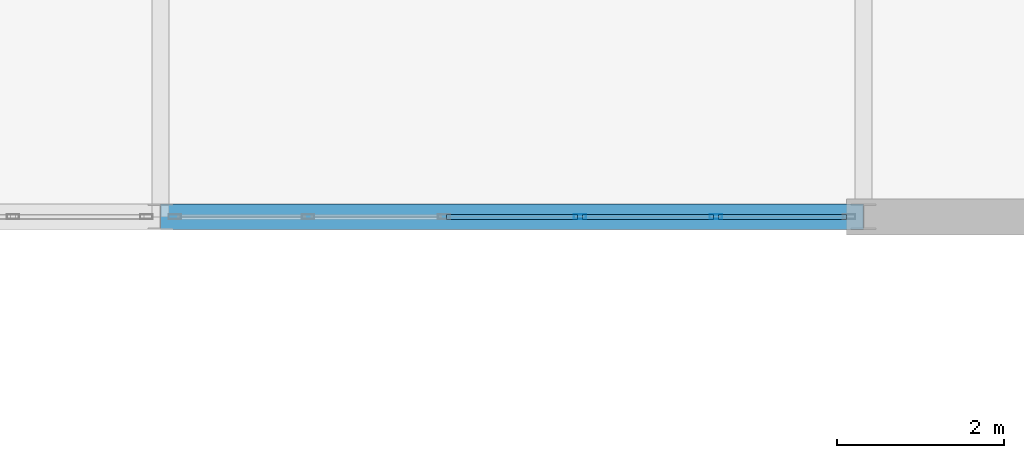
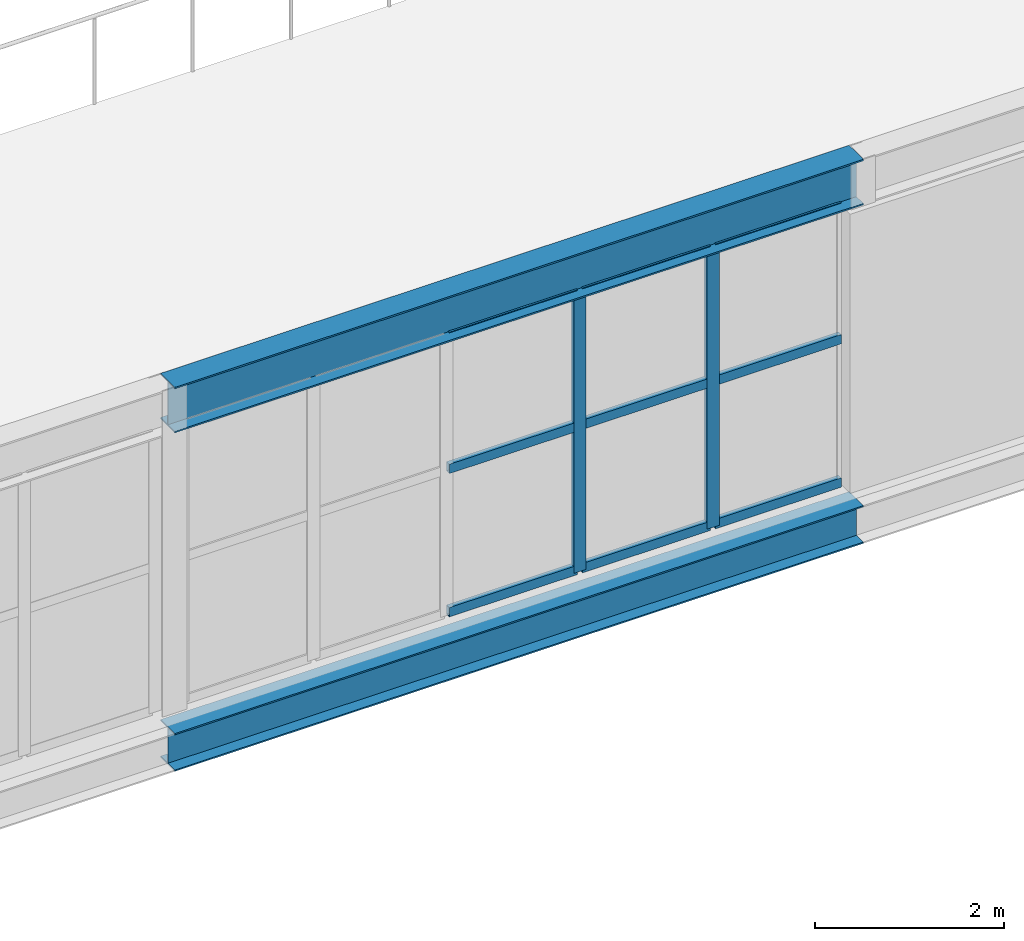
# One storey, part 98 of 218: 11 members, 2 beams, 1 element without a shape of its own.
"""IFC4 building model written with IfcOpenShell, lengths in metres."""

from ifc_helpers import new_model, si_unit, direction, frame, origin, origin_2d, place, context, subcontext, project, spatial, hollow_rectangle, i_section, extrude, material, material_profile, profile_set, type_object, element, aggregate, save


model = new_model("IFC4")

# Units and contexts
model_context = context("Model", 3, precision=1e-05, world=origin(), true_north=direction((0.0, 1.0)))
body_context = subcontext(model_context, "Body", "Model", "MODEL_VIEW")
ifc_project = project(units=[si_unit("LENGTHUNIT", "METRE"), si_unit("AREAUNIT", "SQUARE_METRE"), si_unit("VOLUMEUNIT", "CUBIC_METRE"), si_unit("PLANEANGLEUNIT", "RADIAN"), si_unit("MASSUNIT", "GRAM", prefix="KILO")], contexts=[model_context])

# Site, building, storey
site_placement = place(None, origin())
site = spatial("IfcSite", under=ifc_project, at=site_placement, CompositionType="ELEMENT")
building_placement = place(site_placement, origin())
building = spatial("IfcBuilding", under=site, at=building_placement, Name="Kazenagashi Tramway Depot", CompositionType="ELEMENT")
storey_placement = place(building_placement, frame((0.0, 0.0, 6.0)))
storey = spatial("IfcBuildingStorey", under=building, at=storey_placement, Name="L02", CompositionType="ELEMENT", Elevation=6.0)

# Curtain wall, members
ifc_material_1 = material(Name="Anodised Aluminium and Low-E Glazing", Category="aluminium")
curtain_wall_type = type_object("IfcCurtainWallType", Name="CW-11", PredefinedType="USERDEFINED", material=ifc_material_1)
curtain_wall_placement = place(storey_placement, origin())
curtain_wall = element("IfcCurtainWall", 1, at=curtain_wall_placement, inside=storey, type_object=curtain_wall_type, Name="Industrial Glazed Screen CW-11 CW-0033", ObjectType="GLAZED SCREEN", PredefinedType="USERDEFINED")
ifc_material_2 = material(Name="Anodised Aluminium", Category="aluminium")
ifc_material_profile_1 = material_profile(ifc_material_2, hollow_rectangle(XDim=0.06, YDim=0.15, WallThickness=0.004, at=origin_2d()), Name="RHS-150x60x4")
ifc_profile_set_1 = profile_set([ifc_material_profile_1], Name="Anodised Aluminium")
member_type_1 = type_object("IfcMemberType", Name="ML-01", PredefinedType="MULLION", material=ifc_profile_set_1)
member_1_placement = place(storey_placement, frame((108.612, 70.0, 0.0), z_axis=(0.0, 0.0, 1.0), x_axis=(0.0, 1.0, 0.0)))
member_1 = element("IfcMember", 2, at=member_1_placement, type_object=member_type_1, Name="CW-11 mullion 4", PredefinedType="MULLION", context=body_context, shape_type="SweptSolid", body=[
    extrude(hollow_rectangle(XDim=0.06, YDim=0.15, WallThickness=0.004, at=origin_2d()), origin(), (0.0, 0.0, 1.0), 3.612),
])
member_2_placement = place(storey_placement, frame((110.236, 70.0, 0.0), z_axis=(0.0, 0.0, 1.0), x_axis=(0.0, 1.0, 0.0)))
member_2 = element("IfcMember", 3, at=member_2_placement, type_object=member_type_1, Name="CW-11 mullion 5", PredefinedType="MULLION", context=body_context, shape_type="SweptSolid", body=[
    extrude(hollow_rectangle(XDim=0.06, YDim=0.15, WallThickness=0.004, at=origin_2d()), origin(), (0.0, 0.0, 1.0), 3.612),
])

# Beams
ifc_material_3 = material(Name="Steel SN490B", Category="steel")
ifc_material_profile_2 = material_profile(ifc_material_3, i_section(OverallWidth=0.3, OverallDepth=0.588, WebThickness=0.012, FlangeThickness=0.02, at=origin_2d()), Name="H-588x300x12x20")
ifc_profile_set_2 = profile_set([ifc_material_profile_2], Name="Steel SN490B")
beam_type_1 = type_object("IfcBeamType", Name="SP-01", PredefinedType="SPANDREL", material=ifc_profile_set_2)
beam_1_placement = place(storey_placement, frame((103.6, 70.0, 3.906), z_axis=(1.0, 0.0, 0.0), x_axis=(0.0, 1.0, 0.0)))
element("IfcBeam", 4, at=beam_1_placement, inside=storey, type_object=beam_type_1, Name="Beam SP-01 BM-1851", PredefinedType="SPANDREL", context=body_context, shape_type="SweptSolid", body=[
    extrude(i_section(OverallWidth=0.3, OverallDepth=0.588, WebThickness=0.012, FlangeThickness=0.02, at=origin_2d()), origin(), (0.0, 0.0, 1.0), 8.4),
])
ifc_material_profile_3 = material_profile(ifc_material_3, i_section(OverallWidth=0.3, OverallDepth=0.488, WebThickness=0.011, FlangeThickness=0.018, at=origin_2d()), Name="H-488x300x11x18")
ifc_profile_set_3 = profile_set([ifc_material_profile_3], Name="Steel SN490B")
beam_type_2 = type_object("IfcBeamType", Name="SP-02", PredefinedType="SPANDREL", material=ifc_profile_set_3)
beam_2_placement = place(storey_placement, frame((103.6, 70.0, -0.509), z_axis=(1.0, 0.0, 0.0), x_axis=(0.0, 1.0, 0.0)))
element("IfcBeam", 5, at=beam_2_placement, inside=storey, type_object=beam_type_2, Name="Beam SP-02 BM-1708", PredefinedType="SPANDREL", context=body_context, shape_type="SweptSolid", body=[
    extrude(i_section(OverallWidth=0.3, OverallDepth=0.488, WebThickness=0.011, FlangeThickness=0.018, at=origin_2d()), origin(), (0.0, 0.0, 1.0), 8.4),
])

# Member
ifc_material_profile_4 = material_profile(ifc_material_2, hollow_rectangle(XDim=0.06, YDim=0.12, WallThickness=0.004, at=origin_2d()), Name="RHS-120x60x4")
ifc_profile_set_4 = profile_set([ifc_material_profile_4], Name="Anodised Aluminium")
member_type_2 = type_object("IfcMemberType", Name="TR-01", PredefinedType="USERDEFINED", material=ifc_profile_set_4)
member_3_placement = place(storey_placement, frame((107.018, 70.0, 0.03), z_axis=(1.0, 0.0, 0.0), x_axis=(0.0, 1.0, 0.0)))
member_3 = element("IfcMember", 6, at=member_3_placement, type_object=member_type_2, Name="CW-11 transom 3.1", ObjectType="TRANSOM", PredefinedType="USERDEFINED", context=body_context, shape_type="SweptSolid", body=[
    extrude(hollow_rectangle(XDim=0.06, YDim=0.12, WallThickness=0.004, at=origin_2d()), origin(), (0.0, 0.0, 1.0), 1.564),
])

member_4_placement = place(storey_placement, frame((107.018, 70.0, 1.878), z_axis=(1.0, 0.0, 0.0), x_axis=(0.0, 1.0, 0.0)))
member_4 = element("IfcMember", 7, at=member_4_placement, type_object=member_type_2, Name="CW-11 transom 3.2", ObjectType="TRANSOM", PredefinedType="USERDEFINED", context=body_context, shape_type="SweptSolid", body=[
    extrude(hollow_rectangle(XDim=0.06, YDim=0.12, WallThickness=0.004, at=origin_2d()), origin(), (0.0, 0.0, 1.0), 1.564),
])

member_5_placement = place(storey_placement, frame((107.018, 70.0, 3.582), z_axis=(1.0, 0.0, 0.0), x_axis=(0.0, 1.0, 0.0)))
member_5 = element("IfcMember", 8, at=member_5_placement, type_object=member_type_2, Name="CW-11 transom 3.3", ObjectType="TRANSOM", PredefinedType="USERDEFINED", context=body_context, shape_type="SweptSolid", body=[
    extrude(hollow_rectangle(XDim=0.06, YDim=0.12, WallThickness=0.004, at=origin_2d()), origin(), (0.0, 0.0, 1.0), 1.564),
])

member_6_placement = place(storey_placement, frame((108.642, 70.0, 0.03), z_axis=(1.0, 0.0, 0.0), x_axis=(0.0, 1.0, 0.0)))
member_6 = element("IfcMember", 9, at=member_6_placement, type_object=member_type_2, Name="CW-11 transom 4.1", ObjectType="TRANSOM", PredefinedType="USERDEFINED", context=body_context, shape_type="SweptSolid", body=[
    extrude(hollow_rectangle(XDim=0.06, YDim=0.12, WallThickness=0.004, at=origin_2d()), origin(), (0.0, 0.0, 1.0), 1.564),
])

member_7_placement = place(storey_placement, frame((108.642, 70.0, 1.878), z_axis=(1.0, 0.0, 0.0), x_axis=(0.0, 1.0, 0.0)))
member_7 = element("IfcMember", 10, at=member_7_placement, type_object=member_type_2, Name="CW-11 transom 4.2", ObjectType="TRANSOM", PredefinedType="USERDEFINED", context=body_context, shape_type="SweptSolid", body=[
    extrude(hollow_rectangle(XDim=0.06, YDim=0.12, WallThickness=0.004, at=origin_2d()), origin(), (0.0, 0.0, 1.0), 1.564),
])

member_8_placement = place(storey_placement, frame((108.642, 70.0, 3.582), z_axis=(1.0, 0.0, 0.0), x_axis=(0.0, 1.0, 0.0)))
member_8 = element("IfcMember", 11, at=member_8_placement, type_object=member_type_2, Name="CW-11 transom 4.3", ObjectType="TRANSOM", PredefinedType="USERDEFINED", context=body_context, shape_type="SweptSolid", body=[
    extrude(hollow_rectangle(XDim=0.06, YDim=0.12, WallThickness=0.004, at=origin_2d()), origin(), (0.0, 0.0, 1.0), 1.564),
])

member_9_placement = place(storey_placement, frame((110.266, 70.0, 0.03), z_axis=(1.0, 0.0, 0.0), x_axis=(0.0, 1.0, 0.0)))
member_9 = element("IfcMember", 12, at=member_9_placement, type_object=member_type_2, Name="CW-11 transom 5.1", ObjectType="TRANSOM", PredefinedType="USERDEFINED", context=body_context, shape_type="SweptSolid", body=[
    extrude(hollow_rectangle(XDim=0.06, YDim=0.12, WallThickness=0.004, at=origin_2d()), origin(), (0.0, 0.0, 1.0), 1.534),
])

member_10_placement = place(storey_placement, frame((110.266, 70.0, 1.878), z_axis=(1.0, 0.0, 0.0), x_axis=(0.0, 1.0, 0.0)))
member_10 = element("IfcMember", 13, at=member_10_placement, type_object=member_type_2, Name="CW-11 transom 5.2", ObjectType="TRANSOM", PredefinedType="USERDEFINED", context=body_context, shape_type="SweptSolid", body=[
    extrude(hollow_rectangle(XDim=0.06, YDim=0.12, WallThickness=0.004, at=origin_2d()), origin(), (0.0, 0.0, 1.0), 1.534),
])

member_11_placement = place(storey_placement, frame((110.266, 70.0, 3.582), z_axis=(1.0, 0.0, 0.0), x_axis=(0.0, 1.0, 0.0)))
member_11 = element("IfcMember", 14, at=member_11_placement, type_object=member_type_2, Name="CW-11 transom 5.3", ObjectType="TRANSOM", PredefinedType="USERDEFINED", context=body_context, shape_type="SweptSolid", body=[
    extrude(hollow_rectangle(XDim=0.06, YDim=0.12, WallThickness=0.004, at=origin_2d()), origin(), (0.0, 0.0, 1.0), 1.534),
])

aggregate(curtain_wall, [member_1, member_2, member_3, member_4, member_5, member_6, member_7, member_8, member_9, member_10, member_11])

save(model, "model.ifc")
